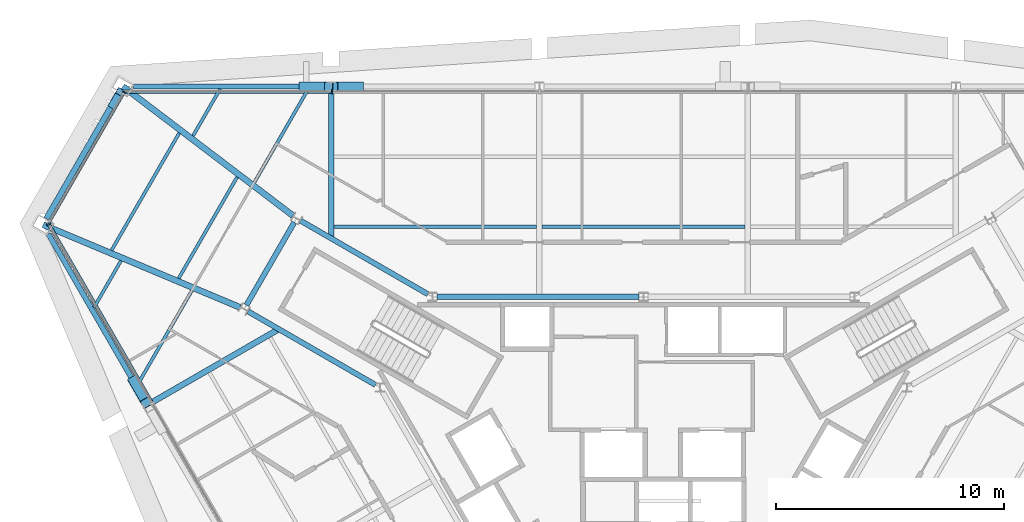
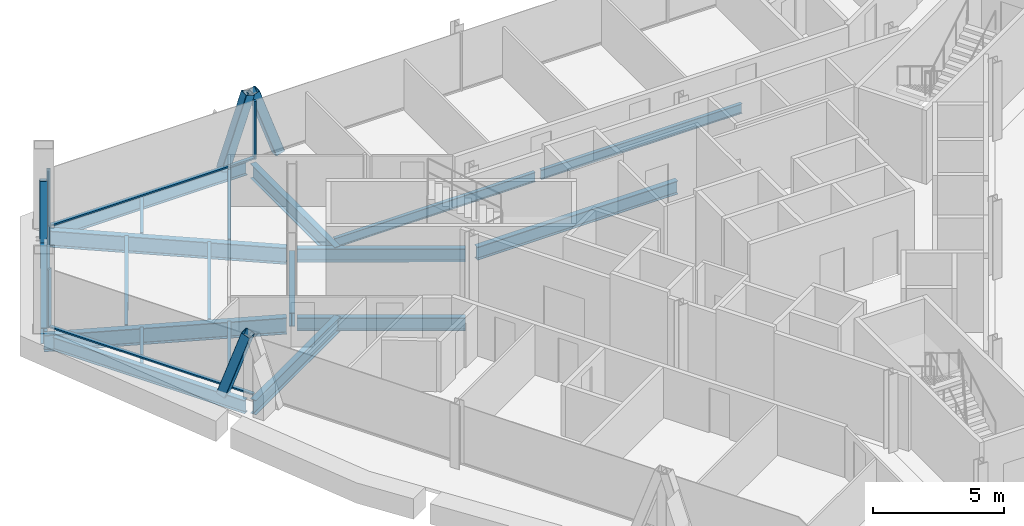
# One storey, part 6 of 15: 19 beams, 10 members, 3 elements without a shape of their own.
"""IFC4 building model written with IfcOpenShell, lengths in metres."""

from ifc_helpers import new_model, si_unit, direction, frame, origin, origin_2d, place, context, subcontext, project, spatial, rectangle, hollow_rectangle, i_section, extrude, material, material_profile, profile_set, type_object, element, aggregate, save


model = new_model("IFC4")

# Units and contexts
model_context = context("Model", 3, precision=1e-05, world=origin(), true_north=direction((0.0, 1.0)))
body_context = subcontext(model_context, "Body", "Model", "MODEL_VIEW")
ifc_project = project(units=[si_unit("LENGTHUNIT", "METRE"), si_unit("AREAUNIT", "SQUARE_METRE"), si_unit("VOLUMEUNIT", "CUBIC_METRE"), si_unit("PLANEANGLEUNIT", "RADIAN"), si_unit("MASSUNIT", "GRAM", prefix="KILO")], contexts=[model_context])

# Site, building, storey
site_placement = place(None, origin())
site = spatial("IfcSite", under=ifc_project, at=site_placement, CompositionType="ELEMENT")
building_placement = place(site_placement, origin())
building = spatial("IfcBuilding", under=site, at=building_placement, Name="Verrane Prism Tower", CompositionType="ELEMENT")
storey_placement = place(building_placement, frame((0.0, 0.0, 254.5)))
storey = spatial("IfcBuildingStorey", under=building, at=storey_placement, Name="L64", CompositionType="ELEMENT", Elevation=254.5)

# Member
ifc_material_1 = material(Name="Steel A500 Grade C", Category="steel")
ifc_material_profile_1 = material_profile(ifc_material_1, hollow_rectangle(XDim=0.3046875, YDim=0.3046875, WallThickness=0.0126953125, InnerFilletRadius=0.00634765625, OuterFilletRadius=0.01904296875, at=origin_2d()), Name="HSS12x12x1/2")
ifc_profile_set_1 = profile_set([ifc_material_profile_1], Name="Steel A500 Grade C")
member_type_1 = type_object("IfcMemberType", Name="Chamfer brace HSS12x12x1/2", PredefinedType="BRACE", material=ifc_profile_set_1)
member_1_placement = place(storey_placement, frame((-23.30126953125, 16.43017578125, -0.24267578125), z_axis=(0.126834392198, 0.219896874432, 0.967242679771), x_axis=(-0.866235353046, 0.499636180769, 0.0)))
element("IfcMember", 1, at=member_1_placement, inside=storey, type_object=member_type_1, Name="Chamfer brace NW0 L64", PredefinedType="BRACE", context=body_context, shape_type="SweptSolid", body=[
    extrude(hollow_rectangle(XDim=0.3046875, YDim=0.3046875, WallThickness=0.0126953125, InnerFilletRadius=0.00634765625, OuterFilletRadius=0.01904296875, at=origin_2d()), origin(), (0.0, 0.0, 1.0), 2.573486328125),
])

# Beams
ifc_material_2 = material(Name="Steel A992", Category="steel")
ifc_material_profile_2 = material_profile(ifc_material_2, i_section(OverallWidth=0.2666015625, OverallDepth=0.7568359375, WebThickness=0.013916015625, FlangeThickness=0.019287109375, FilletRadius=0.0166015625, at=origin_2d()), Name="W30x108")
ifc_profile_set_2 = profile_set([ifc_material_profile_2], Name="Steel A992")
beam_type_1 = type_object("IfcBeamType", Name="Chamfer spandrel beam W30x108", PredefinedType="SPANDREL", material=ifc_profile_set_2)
beam_1_placement = place(storey_placement, frame((-22.989990234375, 16.97021484375, -0.53857421875), z_axis=(-0.499500311129, -0.866313707142, 0.0), x_axis=(0.866313707142, -0.499500311129, 0.0)))
element("IfcBeam", 2, at=beam_1_placement, inside=storey, type_object=beam_type_1, Name="Chamfer spandrel beam L64", PredefinedType="SPANDREL", context=body_context, shape_type="SweptSolid", body=[
    extrude(i_section(OverallWidth=0.2666015625, OverallDepth=0.7568359375, WebThickness=0.013916015625, FlangeThickness=0.019287109375, FilletRadius=0.0166015625, at=origin_2d()), origin(), (0.0, 0.0, 1.0), 6.40673828125),
])
ifc_material_3 = material(Name="Steel A992", Category="steel")
ifc_material_profile_3 = material_profile(ifc_material_3, i_section(OverallWidth=0.23046875, OverallDepth=0.6171875, WebThickness=0.01318359375, FlangeThickness=0.022216796875, FilletRadius=0.012939453125, at=origin_2d()), Name="W24x94")
ifc_profile_set_3 = profile_set([ifc_material_profile_3], Name="Steel A992")
beam_type_2 = type_object("IfcBeamType", Name="Core ring girder W24x94", PredefinedType="BEAM", material=ifc_profile_set_3)
beam_2_placement = place(storey_placement, frame((-0.199462890625, 8.0, -0.55859375), z_axis=(-1.0, 0.0, 0.0), x_axis=(0.0, -1.0, 0.0)))
element("IfcBeam", 3, at=beam_2_placement, inside=storey, type_object=beam_type_2, Name="Core ring girder L64", PredefinedType="BEAM", context=body_context, shape_type="SweptSolid", body=[
    extrude(i_section(OverallWidth=0.23046875, OverallDepth=0.6171875, WebThickness=0.01318359375, FlangeThickness=0.022216796875, FilletRadius=0.012939453125, at=origin_2d()), origin(), (0.0, 0.0, 1.0), 8.861083984375),
])
beam_3_placement = place(storey_placement, frame((-9.45947265625, 8.114990234375, -0.55859375), z_axis=(-0.866080992722, 0.499903704773, 0.0), x_axis=(-0.499903704773, -0.866080992722, 0.0)))
element("IfcBeam", 4, at=beam_3_placement, inside=storey, type_object=beam_type_2, Name="Core ring girder L64", PredefinedType="BEAM", context=body_context, shape_type="SweptSolid", body=[
    extrude(i_section(OverallWidth=0.23046875, OverallDepth=0.6171875, WebThickness=0.01318359375, FlangeThickness=0.022216796875, FilletRadius=0.012939453125, at=origin_2d()), origin(), (0.0, 0.0, 1.0), 6.451904296875),
])
beam_4_placement = place(storey_placement, frame((-15.3203125, 11.266357421875, -0.55859375), z_axis=(-0.500375511519, -0.865808493532, 0.0), x_axis=(0.865808493532, -0.500375511519, 0.0)))
element("IfcBeam", 5, at=beam_4_placement, inside=storey, type_object=beam_type_2, Name="Core ring girder L64", PredefinedType="BEAM", context=body_context, shape_type="SweptSolid", body=[
    extrude(i_section(OverallWidth=0.23046875, OverallDepth=0.6171875, WebThickness=0.01318359375, FlangeThickness=0.022216796875, FilletRadius=0.012939453125, at=origin_2d()), origin(), (0.0, 0.0, 1.0), 4.195556640625),
])
beam_5_placement = place(storey_placement, frame((-17.347412109375, 7.3603515625, -0.55859375), z_axis=(0.866080992722, -0.499903704773, 0.0), x_axis=(0.499903704773, 0.866080992722, 0.0)))
element("IfcBeam", 6, at=beam_5_placement, inside=storey, type_object=beam_type_2, Name="Core ring girder L64", PredefinedType="BEAM", context=body_context, shape_type="SweptSolid", body=[
    extrude(i_section(OverallWidth=0.23046875, OverallDepth=0.6171875, WebThickness=0.01318359375, FlangeThickness=0.022216796875, FilletRadius=0.012939453125, at=origin_2d()), origin(), (0.0, 0.0, 1.0), 6.451904296875),
])
ifc_material_4 = material(Name="Steel A992", Category="steel")
ifc_material_profile_4 = material_profile(ifc_material_4, i_section(OverallWidth=0.2666015625, OverallDepth=0.76708984375, WebThickness=0.014892578125, FlangeThickness=0.023681640625, FilletRadius=0.0166015625, at=origin_2d()), Name="W30x124")
ifc_profile_set_4 = profile_set([ifc_material_profile_4], Name="Steel A992")
beam_type_3 = type_object("IfcBeamType", Name="Corner girder W30x124", PredefinedType="BEAM", material=ifc_profile_set_4)
beam_6_placement = place(storey_placement, frame((-22.838134765625, 17.228515625, -0.603515625), z_axis=(0.796227983739, -0.604996692479, 0.0), x_axis=(0.604996692479, 0.796227983739, 0.0)))
element("IfcBeam", 7, at=beam_6_placement, inside=storey, type_object=beam_type_3, Name="Corner girder L64", PredefinedType="BEAM", context=body_context, shape_type="SweptSolid", body=[
    extrude(i_section(OverallWidth=0.2666015625, OverallDepth=0.76708984375, WebThickness=0.014892578125, FlangeThickness=0.023681640625, FilletRadius=0.0166015625, at=origin_2d()), origin(), (0.0, 0.0, 1.0), 9.366943359375),
])
beam_7_placement = place(storey_placement, frame((-26.3388671875, 11.15966796875, -0.603515625), z_axis=(0.92214457492, -0.386845425132, 0.0), x_axis=(0.386845425132, 0.92214457492, 0.0)))
element("IfcBeam", 8, at=beam_7_placement, inside=storey, type_object=beam_type_3, Name="Corner girder L64", PredefinedType="BEAM", context=body_context, shape_type="SweptSolid", body=[
    extrude(i_section(OverallWidth=0.2666015625, OverallDepth=0.76708984375, WebThickness=0.014892578125, FlangeThickness=0.023681640625, FilletRadius=0.0166015625, at=origin_2d()), origin(), (0.0, 0.0, 1.0), 9.362548828125),
])

# Members
ifc_material_5 = material(Name="Steel A500 Grade C", Category="steel")
ifc_material_profile_5 = material_profile(ifc_material_5, hollow_rectangle(XDim=0.406494140625, YDim=0.406494140625, WallThickness=0.01904296875, InnerFilletRadius=0.009521484375, OuterFilletRadius=0.028564453125, at=origin_2d()), Name="HSS16x16x3/4")
ifc_profile_set_5 = profile_set([ifc_material_profile_5], Name="Steel A500 Grade C")
member_type_2 = type_object("IfcMemberType", Name="Facade brace HSS16x16x3/4", PredefinedType="BRACE", material=ifc_profile_set_5)
member_2_placement = place(storey_placement, frame((-12.483642578125, 17.22998046875, -0.216796875), z_axis=(-0.329475790622, 0.0, 0.944164023565), x_axis=(0.0, -1.0, 0.0)))
element("IfcMember", 9, at=member_2_placement, inside=storey, type_object=member_type_2, Name="Facade brace N3 L64", PredefinedType="BRACE", context=body_context, shape_type="SweptSolid", body=[
    extrude(hollow_rectangle(XDim=0.406494140625, YDim=0.406494140625, WallThickness=0.01904296875, InnerFilletRadius=0.009521484375, OuterFilletRadius=0.028564453125, at=origin_2d()), origin(), (0.0, 0.0, 1.0), 3.3701171875),
])
member_3_placement = place(storey_placement, frame((-14.91796875, 17.22998046875, -0.216796875), z_axis=(0.328765131105, 0.0, 0.944411715604), x_axis=(0.0, 1.0, 0.0)))
element("IfcMember", 10, at=member_3_placement, inside=storey, type_object=member_type_2, Name="Facade brace N4 L64", PredefinedType="BRACE", context=body_context, shape_type="SweptSolid", body=[
    extrude(hollow_rectangle(XDim=0.406494140625, YDim=0.406494140625, WallThickness=0.01904296875, InnerFilletRadius=0.009521484375, OuterFilletRadius=0.028564453125, at=origin_2d()), origin(), (0.0, 0.0, 1.0), 3.369140625),
])
member_4_placement = place(storey_placement, frame((-22.37890625, 4.30419921875, -0.216796875), z_axis=(0.163928143657, -0.284663902866, 0.944507292784), x_axis=(0.86658198229, 0.499034736237, 0.0)))
element("IfcMember", 11, at=member_4_placement, inside=storey, type_object=member_type_2, Name="Facade brace SW0 L64", PredefinedType="BRACE", context=body_context, shape_type="SweptSolid", body=[
    extrude(hollow_rectangle(XDim=0.406494140625, YDim=0.406494140625, WallThickness=0.01904296875, InnerFilletRadius=0.009521484375, OuterFilletRadius=0.028564453125, at=origin_2d()), origin(), (0.0, 0.0, 1.0), 3.368896484375),
])

# Beams
ifc_material_6 = material(Name="Steel A992", Category="steel")
ifc_material_profile_6 = material_profile(ifc_material_6, i_section(OverallWidth=0.140380859375, OverallDepth=0.40380859375, WebThickness=0.007080078125, FlangeThickness=0.01123046875, FilletRadius=0.01025390625, at=origin_2d()), Name="W16x31")
ifc_profile_set_6 = profile_set([ifc_material_profile_6], Name="Steel A992")
beam_type_4 = type_object("IfcBeamType", Name="Floor beam W16x31", PredefinedType="BEAM", material=ifc_profile_set_6)
beam_8_placement = place(storey_placement, frame((-17.073974609375, 13.016357421875, -0.36181640625), z_axis=(0.499978475836, 0.86603783041, 0.0), x_axis=(-0.86603783041, 0.499978475836, 0.0)))
element("IfcBeam", 12, at=beam_8_placement, inside=storey, type_object=beam_type_4, Name="Floor beam L64", PredefinedType="BEAM", context=body_context, shape_type="SweptSolid", body=[
    extrude(i_section(OverallWidth=0.140380859375, OverallDepth=0.40380859375, WebThickness=0.007080078125, FlangeThickness=0.01123046875, FilletRadius=0.01025390625, at=origin_2d()), origin(), (0.0, 0.0, 1.0), 4.732666015625),
])
beam_9_placement = place(storey_placement, frame((-19.7626953125, 15.0595703125, -0.36181640625), z_axis=(0.499945073215, 0.866057113456, 0.0), x_axis=(-0.866057113456, 0.499945073215, 0.0)))
element("IfcBeam", 13, at=beam_9_placement, inside=storey, type_object=beam_type_4, Name="Floor beam L64", PredefinedType="BEAM", context=body_context, shape_type="SweptSolid", body=[
    extrude(i_section(OverallWidth=0.140380859375, OverallDepth=0.40380859375, WebThickness=0.007080078125, FlangeThickness=0.01123046875, FilletRadius=0.01025390625, at=origin_2d()), origin(), (0.0, 0.0, 1.0), 2.373291015625),
])
beam_10_placement = place(storey_placement, frame((-22.175048828125, 4.180908203125, -0.36181640625), z_axis=(0.49998166818, 0.866035987407, 0.0), x_axis=(-0.866035987407, 0.49998166818, 0.0)))
element("IfcBeam", 14, at=beam_10_placement, inside=storey, type_object=beam_type_4, Name="Floor beam L64", PredefinedType="BEAM", context=body_context, shape_type="SweptSolid", body=[
    extrude(i_section(OverallWidth=0.140380859375, OverallDepth=0.40380859375, WebThickness=0.007080078125, FlangeThickness=0.01123046875, FilletRadius=0.01025390625, at=origin_2d()), origin(), (0.0, 0.0, 1.0), 4.728759765625),
])
beam_11_placement = place(storey_placement, frame((-24.10888671875, 7.528076171875, -0.36181640625), z_axis=(0.500025443912, 0.866010713236, 0.0), x_axis=(-0.866010713236, 0.500025443912, 0.0)))
element("IfcBeam", 15, at=beam_11_placement, inside=storey, type_object=beam_type_4, Name="Floor beam L64", PredefinedType="BEAM", context=body_context, shape_type="SweptSolid", body=[
    extrude(i_section(OverallWidth=0.140380859375, OverallDepth=0.40380859375, WebThickness=0.007080078125, FlangeThickness=0.01123046875, FilletRadius=0.01025390625, at=origin_2d()), origin(), (0.0, 0.0, 1.0), 2.37158203125),
])
beam_12_placement = place(storey_placement, frame((-20.392822265625, 8.809814453125, -0.36181640625), z_axis=(0.499987429501, 0.866032661244, 0.0), x_axis=(-0.866032661244, 0.499987429501, 0.0)))
element("IfcBeam", 16, at=beam_12_placement, inside=storey, type_object=beam_type_4, Name="Floor beam L64", PredefinedType="BEAM", context=body_context, shape_type="SweptSolid", body=[
    extrude(i_section(OverallWidth=0.140380859375, OverallDepth=0.40380859375, WebThickness=0.007080078125, FlangeThickness=0.01123046875, FilletRadius=0.01025390625, at=origin_2d()), origin(), (0.0, 0.0, 1.0), 5.131103515625),
])
beam_13_placement = place(storey_placement, frame((-23.334716796875, 10.0439453125, -0.36181640625), z_axis=(0.500019194352, 0.866014321637, 0.0), x_axis=(-0.866014321637, 0.500019194352, 0.0)))
element("IfcBeam", 17, at=beam_13_placement, inside=storey, type_object=beam_type_4, Name="Floor beam L64", PredefinedType="BEAM", context=body_context, shape_type="SweptSolid", body=[
    extrude(i_section(OverallWidth=0.140380859375, OverallDepth=0.40380859375, WebThickness=0.007080078125, FlangeThickness=0.01123046875, FilletRadius=0.01025390625, at=origin_2d()), origin(), (0.0, 0.0, 1.0), 5.934814453125),
])
ifc_material_7 = material(Name="Steel A992", Category="steel")
ifc_material_profile_7 = material_profile(ifc_material_7, i_section(OverallWidth=0.15234375, OverallDepth=0.449462890625, WebThickness=0.007568359375, FlangeThickness=0.0107421875, FilletRadius=0.01025390625, at=origin_2d()), Name="W18x35")
ifc_profile_set_7 = profile_set([ifc_material_profile_7], Name="Steel A992")
beam_type_5 = type_object("IfcBeamType", Name="Floor beam W18x35", PredefinedType="BEAM", material=ifc_profile_set_7)
beam_14_placement = place(storey_placement, frame((-4.443115234375, 11.07666015625, -0.384765625), z_axis=(1.0, 0.0, 0.0), x_axis=(0.0, 1.0, 0.0)))
element("IfcBeam", 18, at=beam_14_placement, inside=storey, type_object=beam_type_5, Name="Floor beam L64", PredefinedType="BEAM", context=body_context, shape_type="SweptSolid", body=[
    extrude(i_section(OverallWidth=0.15234375, OverallDepth=0.449462890625, WebThickness=0.007568359375, FlangeThickness=0.0107421875, FilletRadius=0.01025390625, at=origin_2d()), origin(), (0.0, 0.0, 1.0), 8.88623046875),
])
beam_15_placement = place(storey_placement, frame((-13.572998046875, 11.07666015625, -0.384765625), z_axis=(1.0, 0.0, 0.0), x_axis=(0.0, 1.0, 0.0)))
element("IfcBeam", 19, at=beam_15_placement, inside=storey, type_object=beam_type_5, Name="Floor beam L64", PredefinedType="BEAM", context=body_context, shape_type="SweptSolid", body=[
    extrude(i_section(OverallWidth=0.15234375, OverallDepth=0.449462890625, WebThickness=0.007568359375, FlangeThickness=0.0107421875, FilletRadius=0.01025390625, at=origin_2d()), origin(), (0.0, 0.0, 1.0), 8.8759765625),
])

# Curtain wall, member
ifc_material_8 = material(Name="Aluminium framed insulated glazing", Category="aluminium")
curtain_wall_type_1 = type_object("IfcCurtainWallType", Name="Curtain wall CW-B 5600 module", PredefinedType="NOTDEFINED", material=ifc_material_8)
curtain_wall_1_placement = place(storey_placement, origin())
curtain_wall_1 = element("IfcCurtainWall", 20, at=curtain_wall_1_placement, inside=storey, type_object=curtain_wall_type_1, Name="Glazed curtain wall north-west corner L64", PredefinedType="NOTDEFINED")
ifc_material_9 = material(Name="Aluminium alloy 6063-T6", Category="aluminium")
ifc_material_profile_8 = material_profile(ifc_material_9, rectangle(XDim=0.159912109375, YDim=0.06005859375, at=origin_2d()), Name="Mullion 60x160 aluminium")
ifc_profile_set_8 = profile_set([ifc_material_profile_8], Name="Aluminium alloy 6063-T6")
member_type_3 = type_object("IfcMemberType", Name="Mullion 60x160 aluminium", PredefinedType="MULLION", material=ifc_profile_set_8)
member_5_placement = place(storey_placement, frame((-22.779052734375, 16.975830078125, 0.0), z_axis=(0.0, 0.0, 1.0), x_axis=(0.866027625781, -0.49999615137, 0.0)))
member_5 = element("IfcMember", 21, at=member_5_placement, type_object=member_type_3, Name="CW62.3 mullion 1", PredefinedType="MULLION", context=body_context, shape_type="SweptSolid", body=[
    extrude(rectangle(XDim=0.159912109375, YDim=0.06005859375, at=origin_2d()), origin(), (0.0, 0.0, 1.0), 2.712890625),
])

ifc_material_10 = material(Name="Aluminium framed insulated glazing", Category="aluminium")
curtain_wall_type_2 = type_object("IfcCurtainWallType", Name="Curtain wall CW-A 8400 module", PredefinedType="NOTDEFINED", material=ifc_material_10)
curtain_wall_2_placement = place(storey_placement, origin())
curtain_wall_2 = element("IfcCurtainWall", 22, at=curtain_wall_2_placement, inside=storey, type_object=curtain_wall_type_2, Name="Glazed curtain wall north face L64", PredefinedType="NOTDEFINED")
ifc_material_11 = material(Name="Aluminium alloy 6063-T6", Category="aluminium")
ifc_material_profile_9 = material_profile(ifc_material_11, rectangle(XDim=0.199951171875, YDim=0.070068359375, at=origin_2d()), Name="Mullion 70x200 aluminium")
ifc_profile_set_9 = profile_set([ifc_material_profile_9], Name="Aluminium alloy 6063-T6")
member_type_4 = type_object("IfcMemberType", Name="Mullion 70x200 aluminium", PredefinedType="MULLION", material=ifc_profile_set_9)
member_6_placement = place(storey_placement, frame((-13.658447265625, 17.001708984375, 0.0), z_axis=(0.0, 0.0, 1.0), x_axis=(0.0, -1.0, 0.0)))
member_6 = element("IfcMember", 23, at=member_6_placement, type_object=member_type_4, Name="CW62.2 mullion 5", PredefinedType="MULLION", context=body_context, shape_type="SweptSolid", body=[
    extrude(rectangle(XDim=0.199951171875, YDim=0.070068359375, at=origin_2d()), origin(), (0.0, 0.0, 1.0), 2.712890625),
])

curtain_wall_3_placement = place(storey_placement, origin())
curtain_wall_3 = element("IfcCurtainWall", 24, at=curtain_wall_3_placement, inside=storey, type_object=curtain_wall_type_2, Name="Glazed curtain wall south-west face L64", PredefinedType="NOTDEFINED")
member_7_placement = place(storey_placement, frame((-26.08837890625, 11.18310546875, 0.0), z_axis=(0.0, 0.0, 1.0), x_axis=(0.866025525748, 0.499999788753, 0.0)))
member_7 = element("IfcMember", 25, at=member_7_placement, type_object=member_type_4, Name="CW62.4 mullion 1", PredefinedType="MULLION", context=body_context, shape_type="SweptSolid", body=[
    extrude(rectangle(XDim=0.199951171875, YDim=0.070068359375, at=origin_2d()), origin(), (0.0, 0.0, 1.0), 2.712890625),
])

# Beams
ifc_material_12 = material(Name="Steel A992", Category="steel")
ifc_material_profile_10 = material_profile(ifc_material_12, i_section(OverallWidth=0.25390625, OverallDepth=0.683349609375, WebThickness=0.012451171875, FlangeThickness=0.01904296875, FilletRadius=0.01513671875, at=origin_2d()), Name="W27x94")
ifc_profile_set_10 = profile_set([ifc_material_profile_10], Name="Steel A992")
beam_type_6 = type_object("IfcBeamType", Name="Radial girder W27x94", PredefinedType="BEAM", material=ifc_profile_set_10)
beam_16_placement = place(storey_placement, frame((-13.699951171875, 17.037109375, -0.5615234375), z_axis=(0.0, -1.0, 0.0), x_axis=(1.0, 0.0, 0.0)))
element("IfcBeam", 26, at=beam_16_placement, inside=storey, type_object=beam_type_6, Name="Radial girder L64", PredefinedType="BEAM", context=body_context, shape_type="SweptSolid", body=[
    extrude(i_section(OverallWidth=0.25390625, OverallDepth=0.683349609375, WebThickness=0.012451171875, FlangeThickness=0.01904296875, FilletRadius=0.01513671875, at=origin_2d()), origin(), (0.0, 0.0, 1.0), 6.474365234375),
])
beam_17_placement = place(storey_placement, frame((-21.602783203125, 3.346435546875, -0.5615234375), z_axis=(0.866017203851, 0.500014202433, 0.0), x_axis=(-0.500014202433, 0.866017203851, 0.0)))
element("IfcBeam", 27, at=beam_17_placement, inside=storey, type_object=beam_type_6, Name="Radial girder L64", PredefinedType="BEAM", context=body_context, shape_type="SweptSolid", body=[
    extrude(i_section(OverallWidth=0.25390625, OverallDepth=0.683349609375, WebThickness=0.012451171875, FlangeThickness=0.01904296875, FilletRadius=0.01513671875, at=origin_2d()), origin(), (0.0, 0.0, 1.0), 6.470947265625),
])
ifc_material_13 = material(Name="Steel A992", Category="steel")
ifc_material_profile_11 = material_profile(ifc_material_13, i_section(OverallWidth=0.23046875, OverallDepth=0.6171875, WebThickness=0.01318359375, FlangeThickness=0.022216796875, FilletRadius=0.012939453125, at=origin_2d()), Name="W24x94")
ifc_profile_set_11 = profile_set([ifc_material_profile_11], Name="Steel A992")
beam_type_7 = type_object("IfcBeamType", Name="Spandrel beam W24x94", PredefinedType="SPANDREL", material=ifc_profile_set_11)
beam_18_placement = place(storey_placement, frame((-13.8994140625, 17.22998046875, -0.468505859375), z_axis=(-1.0, 0.0, 0.0), x_axis=(0.0, -1.0, 0.0)))
element("IfcBeam", 28, at=beam_18_placement, inside=storey, type_object=beam_type_7, Name="Spandrel beam L64", PredefinedType="SPANDREL", context=body_context, shape_type="SweptSolid", body=[
    extrude(i_section(OverallWidth=0.23046875, OverallDepth=0.6171875, WebThickness=0.01318359375, FlangeThickness=0.022216796875, FilletRadius=0.012939453125, at=origin_2d()), origin(), (0.0, 0.0, 1.0), 8.478759765625),
])
beam_19_placement = place(storey_placement, frame((-26.10888671875, 10.760009765625, -0.468505859375), z_axis=(0.500266077884, -0.865871729137, 0.0), x_axis=(0.865871729137, 0.500266077884, 0.0)))
element("IfcBeam", 29, at=beam_19_placement, inside=storey, type_object=beam_type_7, Name="Spandrel beam L64", PredefinedType="SPANDREL", context=body_context, shape_type="SweptSolid", body=[
    extrude(i_section(OverallWidth=0.23046875, OverallDepth=0.6171875, WebThickness=0.01318359375, FlangeThickness=0.022216796875, FilletRadius=0.012939453125, at=origin_2d()), origin(), (0.0, 0.0, 1.0), 8.47412109375),
])

# Member
ifc_material_14 = material(Name="Aluminium alloy 6063-T6", Category="aluminium")
ifc_material_profile_12 = material_profile(ifc_material_14, rectangle(XDim=0.1201171875, YDim=0.06005859375, at=origin_2d()), Name="Transom 60x120 aluminium")
ifc_profile_set_12 = profile_set([ifc_material_profile_12], Name="Aluminium alloy 6063-T6")
member_type_5 = type_object("IfcMemberType", Name="Transom 60x120 aluminium", PredefinedType="USERDEFINED", material=ifc_profile_set_12)
member_8_placement = place(storey_placement, frame((-22.794189453125, 16.949951171875, 0.030029296875), z_axis=(-0.499972376636, -0.866041351554, 0.0), x_axis=(0.866041351554, -0.499972376636, 0.0)))
member_8 = element("IfcMember", 30, at=member_8_placement, type_object=member_type_5, Name="CW62.3 transom 1", ObjectType="TRANSOM", PredefinedType="USERDEFINED", context=body_context, shape_type="SweptSolid", body=[
    extrude(rectangle(XDim=0.1201171875, YDim=0.06005859375, at=origin_2d()), origin(), (0.0, 0.0, 1.0), 6.623779296875),
])

aggregate(curtain_wall_1, [member_5, member_8])

ifc_material_15 = material(Name="Aluminium alloy 6063-T6", Category="aluminium")
ifc_material_profile_13 = material_profile(ifc_material_15, rectangle(XDim=0.14990234375, YDim=0.070068359375, at=origin_2d()), Name="Transom 70x150 aluminium")
ifc_profile_set_13 = profile_set([ifc_material_profile_13], Name="Aluminium alloy 6063-T6")
member_type_6 = type_object("IfcMemberType", Name="Transom 70x150 aluminium", PredefinedType="USERDEFINED", material=ifc_profile_set_13)
member_9_placement = place(storey_placement, frame((-13.693359375, 17.001708984375, 0.034912109375), z_axis=(-1.0, 0.0, 0.0), x_axis=(0.0, -1.0, 0.0)))
member_9 = element("IfcMember", 31, at=member_9_placement, type_object=member_type_6, Name="CW62.2 transom 5", ObjectType="TRANSOM", PredefinedType="USERDEFINED", context=body_context, shape_type="SweptSolid", body=[
    extrude(rectangle(XDim=0.14990234375, YDim=0.070068359375, at=origin_2d()), origin(), (0.0, 0.0, 1.0), 9.07080078125),
])

aggregate(curtain_wall_2, [member_6, member_9])

member_10_placement = place(storey_placement, frame((-26.071044921875, 11.15283203125, 0.034912109375), z_axis=(0.49998699247, -0.866032913555, 0.0), x_axis=(0.866032913555, 0.49998699247, 0.0)))
member_10 = element("IfcMember", 32, at=member_10_placement, type_object=member_type_6, Name="CW62.4 transom 1", ObjectType="TRANSOM", PredefinedType="USERDEFINED", context=body_context, shape_type="SweptSolid", body=[
    extrude(rectangle(XDim=0.14990234375, YDim=0.070068359375, at=origin_2d()), origin(), (0.0, 0.0, 1.0), 9.000732421875),
])

aggregate(curtain_wall_3, [member_7, member_10])

save(model, "model.ifc")
